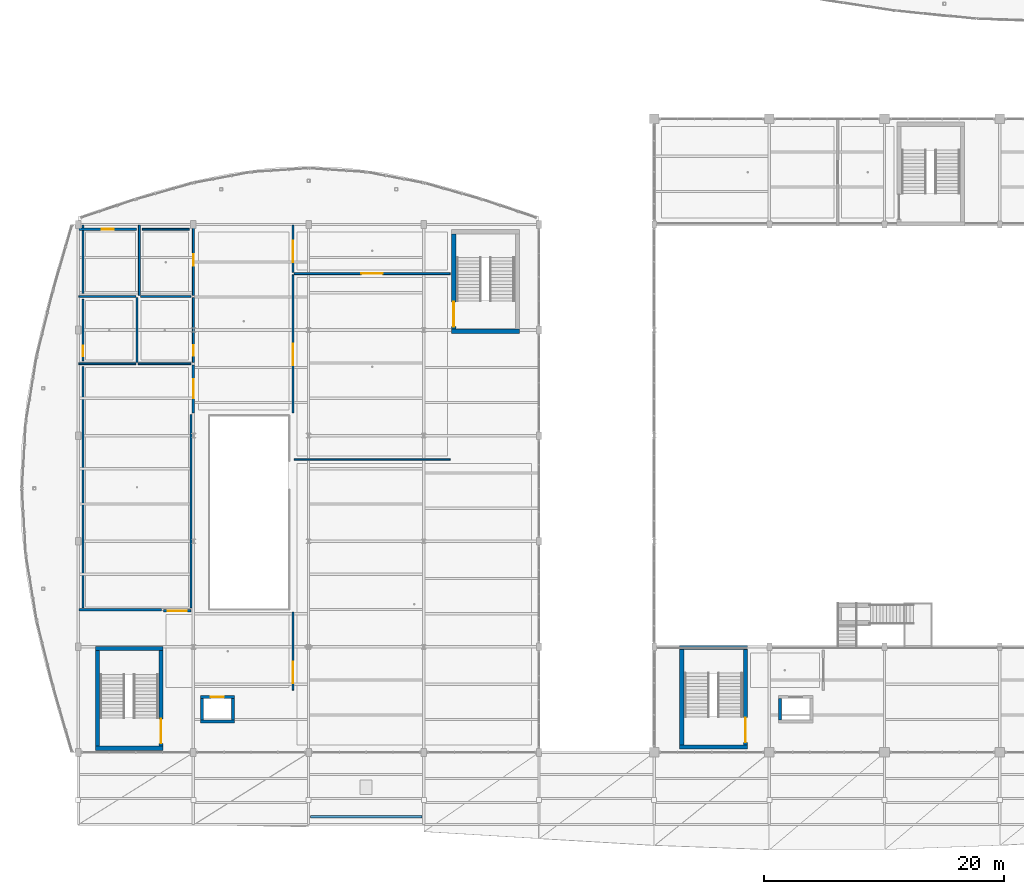
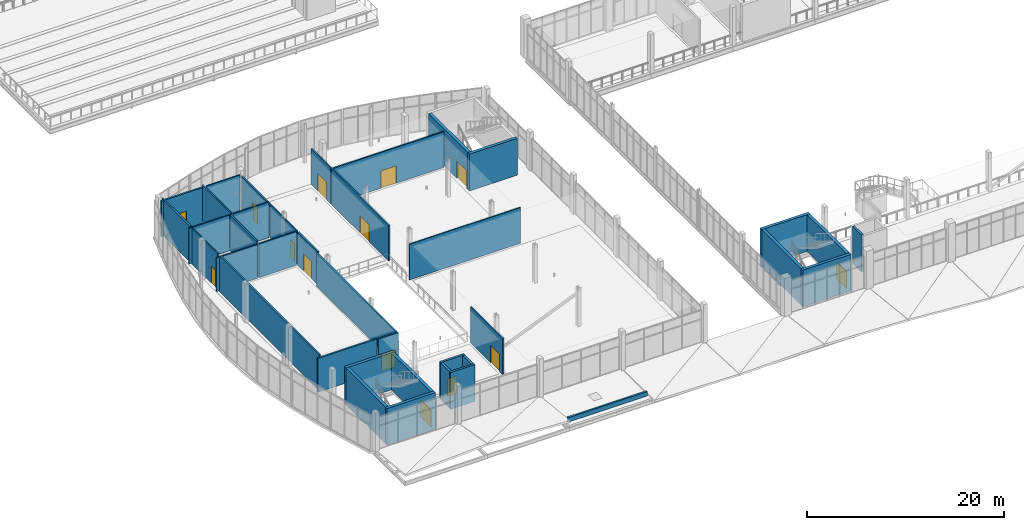
# One storey, part 132 of 157: 38 walls, 14 doors, 14 openings.
"""IFC4 building model written with IfcOpenShell, lengths in metres."""

from ifc_helpers import new_model, si_unit, direction, frame, frame_2d, origin, place, context, subcontext, project, spatial, rectangle, extrude, material, layer, layer_set, type_object, element, fill, save


model = new_model("IFC4")

# Units and contexts
model_context = context("Model", 3, precision=1e-05, world=origin(), true_north=direction((0.0, 1.0)))
body_context = subcontext(model_context, "Body", "Model", "MODEL_VIEW")
ifc_project = project(units=[si_unit("LENGTHUNIT", "METRE"), si_unit("AREAUNIT", "SQUARE_METRE"), si_unit("VOLUMEUNIT", "CUBIC_METRE"), si_unit("PLANEANGLEUNIT", "RADIAN"), si_unit("MASSUNIT", "GRAM", prefix="KILO")], contexts=[model_context])

# Site, building, storey
site_placement = place(None, origin())
site = spatial("IfcSite", under=ifc_project, at=site_placement, CompositionType="ELEMENT")
building_placement = place(site_placement, origin())
building = spatial("IfcBuilding", under=site, at=building_placement, Name="Chalmorin Arch Market", CompositionType="ELEMENT")
storey_placement = place(building_placement, frame((0.0, 0.0, 4.800048828125)))
storey = spatial("IfcBuildingStorey", under=building, at=storey_placement, Name="L01", CompositionType="ELEMENT", Elevation=4.800048828125)

# Walls
ifc_material_1 = material(Name="Concrete C40/50", Category="concrete")
ifc_layer_1 = layer(ifc_material_1, 0.35009765625)
ifc_layer_set_1 = layer_set([ifc_layer_1], Name="Concrete C40/50")
wall_type_1 = type_object("IfcWallType", Name="CoreShearWall-350", PredefinedType="SHEAR", material=ifc_layer_set_1)
for number, where, z_axis, x_axis, name in (
    (1, (7.074951171875, 6.35009765625, 0.0), (0.0, 0.0, 1.0), (-1.0, 0.0, 0.0), "CSW-350-009"),
    (2, (1.425048828125, 14.64990234375, 0.0), (0.0, 0.0, 1.0), (1.0, 0.0, 0.0), "CSW-350-010"),
):
    element("IfcWall", number, at=place(storey_placement, frame(where, z_axis=z_axis, x_axis=x_axis)), inside=storey, type_object=wall_type_1, Name=name, PredefinedType="SHEAR", context=body_context, shape_type="SweptSolid", body=[
        extrude(rectangle(XDim=5.64990234375, YDim=0.35009765625, at=frame_2d((2.824951171875, 0.0))), origin(), (0.0, 0.0, 1.0), 4.550048828125),
    ])
wall_1_placement = place(storey_placement, frame((1.60009765625, 6.52490234375, 0.0), z_axis=(0.0, 0.0, 1.0), x_axis=(0.0, 1.0, 0.0)))
element("IfcWall", 3, at=wall_1_placement, inside=storey, type_object=wall_type_1, Name="CSW-350-011", PredefinedType="SHEAR", context=body_context, shape_type="SweptSolid", body=[
    extrude(rectangle(XDim=7.9501953125, YDim=0.35009765625, at=frame_2d((3.97509765625, 0.0))), origin(), (0.0, 0.0, 1.0), 4.550048828125),
])

# Wall, opening, door
wall_2_placement = place(storey_placement, frame((6.89990234375, 14.47509765625, 0.0), z_axis=(0.0, 0.0, 1.0), x_axis=(0.0, -1.0, 0.0)))
wall_2 = element("IfcWall", 4, at=wall_2_placement, inside=storey, type_object=wall_type_1, Name="CSW-350-012", PredefinedType="SHEAR", context=body_context, shape_type="SweptSolid", body=[
    extrude(rectangle(XDim=7.9501953125, YDim=0.35009765625, at=frame_2d((3.97509765625, 0.0))), origin(), (0.0, 0.0, 1.0), 4.550048828125),
])
opening_1_placement = place(wall_2_placement, frame((5.679931640625, 0.0, 0.0)))
opening_1 = element("IfcOpeningElement", 5, at=opening_1_placement, cuts=wall_2, Name="Opening FD-SC1-L01", PredefinedType="OPENING", context=body_context, shape_type="SweptSolid", body=[
    extrude(rectangle(XDim=2.050048828125, YDim=2.14990234375, at=frame_2d((1.02490234375, 1.074951171875))), frame((0.0, 0.18505859375, 0.0), z_axis=(0.0, -1.0, 0.0), x_axis=(1.0, 0.0, 0.0)), (0.0, 0.0, 1.0), 0.3701171875),
])
ifc_material_2 = material(Name="Galvanised Steel", Category="steel")
door_type_1 = type_object("IfcDoorType", Name="DoubleFireExitDoor-2050x2150", OperationType="DOUBLE_DOOR_SINGLE_SWING", PredefinedType="DOOR", material=ifc_material_2)
door_1_placement = place(opening_1_placement, origin())
door_1 = element("IfcDoor", 6, at=door_1_placement, inside=storey, type_object=door_type_1, Name="FD-SC1-L01", OperationType="DOUBLE_DOOR_SINGLE_SWING", OverallHeight=2.14990234375, OverallWidth=2.050048828125, PredefinedType="DOOR", context=body_context, shape_type="SweptSolid", body=[
    extrude(rectangle(XDim=2.050048828125, YDim=2.14990234375, at=frame_2d((1.02490234375, 1.074951171875))), frame((0.0, 0.02490234375, 0.0), z_axis=(0.0, -1.0, 0.0), x_axis=(1.0, 0.0, 0.0)), (0.0, 0.0, 1.0), 0.050048828125),
])
fill(opening_1, door_1)

# Wall
wall_3_placement = place(storey_placement, frame((36.77490234375, 41.10009765625, 0.0), z_axis=(0.0, 0.0, 1.0), x_axis=(-1.0, 0.0, 0.0)))
element("IfcWall", 7, at=wall_3_placement, inside=storey, type_object=wall_type_1, Name="CSW-350-025", PredefinedType="SHEAR", context=body_context, shape_type="SweptSolid", body=[
    extrude(rectangle(XDim=5.64990234375, YDim=0.35009765625, at=frame_2d((2.824951171875, 0.0))), origin(), (0.0, 0.0, 1.0), 4.550048828125),
])

# Wall, opening, door
wall_4_placement = place(storey_placement, frame((31.300048828125, 41.27490234375, 0.0), z_axis=(0.0, 0.0, 1.0), x_axis=(0.0, 1.0, 0.0)))
wall_4 = element("IfcWall", 8, at=wall_4_placement, inside=storey, type_object=wall_type_1, Name="CSW-350-027", PredefinedType="SHEAR", context=body_context, shape_type="SweptSolid", body=[
    extrude(rectangle(XDim=7.9501953125, YDim=0.35009765625, at=frame_2d((3.97509765625, 0.0))), origin(), (0.0, 0.0, 1.0), 4.550048828125),
])
opening_2_placement = place(wall_4_placement, frame((0.219970703125, 0.0, 0.0)))
opening_2 = element("IfcOpeningElement", 9, at=opening_2_placement, cuts=wall_4, Name="Opening FD-SC2-L01", PredefinedType="OPENING", context=body_context, shape_type="SweptSolid", body=[
    extrude(rectangle(XDim=2.050048828125, YDim=2.14990234375, at=frame_2d((1.02490234375, 1.074951171875))), frame((0.0, 0.18505859375, 0.0), z_axis=(0.0, -1.0, 0.0), x_axis=(1.0, 0.0, 0.0)), (0.0, 0.0, 1.0), 0.3701171875),
])
door_2_placement = place(opening_2_placement, origin())
door_2 = element("IfcDoor", 10, at=door_2_placement, inside=storey, type_object=door_type_1, Name="FD-SC2-L01", OperationType="DOUBLE_DOOR_SINGLE_SWING", OverallHeight=2.14990234375, OverallWidth=2.050048828125, PredefinedType="DOOR", context=body_context, shape_type="SweptSolid", body=[
    extrude(rectangle(XDim=2.050048828125, YDim=2.14990234375, at=frame_2d((1.02490234375, 1.074951171875))), frame((0.0, 0.02490234375, 0.0), z_axis=(0.0, -1.0, 0.0), x_axis=(1.0, 0.0, 0.0)), (0.0, 0.0, 1.0), 0.050048828125),
])
fill(opening_2, door_2)

# Walls
for number, where, z_axis, x_axis, name in (
    (11, (55.77490234375, 6.449951171875, 0.0), (0.0, 0.0, 1.0), (-1.0, 0.0, 0.0), "CSW-350-041"),
    (12, (50.125, 14.75, 0.0), (0.0, 0.0, 1.0), (1.0, 0.0, 0.0), "CSW-350-042"),
):
    element("IfcWall", number, at=place(storey_placement, frame(where, z_axis=z_axis, x_axis=x_axis)), inside=storey, type_object=wall_type_1, Name=name, PredefinedType="SHEAR", context=body_context, shape_type="SweptSolid", body=[
        extrude(rectangle(XDim=5.64990234375, YDim=0.35009765625, at=frame_2d((2.824951171875, 0.0))), origin(), (0.0, 0.0, 1.0), 4.550048828125),
    ])
wall_5_placement = place(storey_placement, frame((50.300048828125, 6.625, 0.0), z_axis=(0.0, 0.0, 1.0), x_axis=(0.0, 1.0, 0.0)))
element("IfcWall", 13, at=wall_5_placement, inside=storey, type_object=wall_type_1, Name="CSW-350-043", PredefinedType="SHEAR", context=body_context, shape_type="SweptSolid", body=[
    extrude(rectangle(XDim=7.949951171875, YDim=0.35009765625, at=frame_2d((3.97509765625, 0.0))), origin(), (0.0, 0.0, 1.0), 4.550048828125),
])

# Wall, opening, door
wall_6_placement = place(storey_placement, frame((55.60009765625, 14.574951171875, 0.0), z_axis=(0.0, 0.0, 1.0), x_axis=(0.0, -1.0, 0.0)))
wall_6 = element("IfcWall", 14, at=wall_6_placement, inside=storey, type_object=wall_type_1, Name="CSW-350-044", PredefinedType="SHEAR", context=body_context, shape_type="SweptSolid", body=[
    extrude(rectangle(XDim=7.949951171875, YDim=0.35009765625, at=frame_2d((3.97509765625, 0.0))), origin(), (0.0, 0.0, 1.0), 4.550048828125),
])
opening_3_placement = place(wall_6_placement, frame((5.679931640625, 0.0, 0.0)))
opening_3 = element("IfcOpeningElement", 15, at=opening_3_placement, cuts=wall_6, Name="Opening FD-SC3-L01", PredefinedType="OPENING", context=body_context, shape_type="SweptSolid", body=[
    extrude(rectangle(XDim=2.050048828125, YDim=2.14990234375, at=frame_2d((1.02490234375, 1.074951171875))), frame((0.0, 0.18505859375, 0.0), z_axis=(0.0, -1.0, 0.0), x_axis=(1.0, 0.0, 0.0)), (0.0, 0.0, 1.0), 0.3701171875),
])
door_3_placement = place(opening_3_placement, origin())
door_3 = element("IfcDoor", 16, at=door_3_placement, inside=storey, type_object=door_type_1, Name="FD-SC3-L01", OperationType="DOUBLE_DOOR_SINGLE_SWING", OverallHeight=2.14990234375, OverallWidth=2.050048828125, PredefinedType="DOOR", context=body_context, shape_type="SweptSolid", body=[
    extrude(rectangle(XDim=2.050048828125, YDim=2.14990234375, at=frame_2d((1.02490234375, 1.074951171875))), frame((0.0, 0.02490234375, 0.0), z_axis=(0.0, -1.0, 0.0), x_axis=(1.0, 0.0, 0.0)), (0.0, 0.0, 1.0), 0.050048828125),
])
fill(opening_3, door_3)

ifc_material_3 = material(Name="Gypsum Board Partition")
ifc_layer_2 = layer(ifc_material_3, 0.159912109375)
ifc_layer_set_2 = layer_set([ifc_layer_2], Name="Gypsum Board Partition")
wall_type_2 = type_object("IfcWallType", Name="CorridorRatedPartition-160", PredefinedType="PARTITIONING", material=ifc_layer_set_2)
wall_7_placement = place(storey_placement, frame((17.89990234375, 11.199951171875, 0.0), z_axis=(0.0, 0.0, 1.0), x_axis=(0.0, 1.0, 0.0)))
wall_7 = element("IfcWall", 17, at=wall_7_placement, inside=storey, type_object=wall_type_2, Name="CRP-160-478", PredefinedType="PARTITIONING", context=body_context, shape_type="SweptSolid", body=[
    extrude(rectangle(XDim=6.5, YDim=0.159912109375, at=frame_2d((3.25, 0.0))), origin(), (0.0, 0.0, 1.0), 4.419921875),
])
opening_4_placement = place(wall_7_placement, frame((0.55908203125, 0.0, 0.0)))
opening_4 = element("IfcOpeningElement", 18, at=opening_4_placement, cuts=wall_7, Name="Opening ID-148", PredefinedType="OPENING", context=body_context, shape_type="SweptSolid", body=[
    extrude(rectangle(XDim=1.800048828125, YDim=2.14990234375, at=frame_2d((0.89990234375, 1.074951171875))), frame((0.0, 0.08984375, 0.0), z_axis=(0.0, -1.0, 0.0), x_axis=(1.0, 0.0, 0.0)), (0.0, 0.0, 1.0), 0.179931640625),
])
door_type_2 = type_object("IfcDoorType", Name="CorridorFireDoubleDoor-1800x2150", OperationType="DOUBLE_DOOR_SINGLE_SWING", PredefinedType="DOOR", material=ifc_material_2)
door_4_placement = place(opening_4_placement, origin())
door_4 = element("IfcDoor", 19, at=door_4_placement, inside=storey, type_object=door_type_2, Name="ID-148", OperationType="DOUBLE_DOOR_SINGLE_SWING", OverallHeight=2.14990234375, OverallWidth=1.800048828125, PredefinedType="DOOR", context=body_context, shape_type="SweptSolid", body=[
    extrude(rectangle(XDim=1.800048828125, YDim=2.14990234375, at=frame_2d((0.89990234375, 1.074951171875))), frame((0.0, 0.02490234375, 0.0), z_axis=(0.0, -1.0, 0.0), x_axis=(1.0, 0.0, 0.0)), (0.0, 0.0, 1.0), 0.050048828125),
])
fill(opening_4, door_4)

wall_8_placement = place(storey_placement, frame((18.0, 45.89990234375, 0.0), z_axis=(0.0, 0.0, 1.0), x_axis=(1.0, 0.0, 0.0)))
wall_8 = element("IfcWall", 20, at=wall_8_placement, inside=storey, type_object=wall_type_2, Name="CRP-160-481", PredefinedType="PARTITIONING", context=body_context, shape_type="SweptSolid", body=[
    extrude(rectangle(XDim=13.0, YDim=0.159912109375, at=frame_2d((6.5, 0.0))), origin(), (0.0, 0.0, 1.0), 4.419921875),
])
opening_5_placement = place(wall_8_placement, frame((5.60009765625, 0.0, 0.0)))
opening_5 = element("IfcOpeningElement", 21, at=opening_5_placement, cuts=wall_8, Name="Opening ID-150", PredefinedType="OPENING", context=body_context, shape_type="SweptSolid", body=[
    extrude(rectangle(XDim=1.800048828125, YDim=2.14990234375, at=frame_2d((0.89990234375, 1.074951171875))), frame((0.0, 0.08984375, 0.0), z_axis=(0.0, -1.0, 0.0), x_axis=(1.0, 0.0, 0.0)), (0.0, 0.0, 1.0), 0.179931640625),
])
door_5_placement = place(opening_5_placement, origin())
door_5 = element("IfcDoor", 22, at=door_5_placement, inside=storey, type_object=door_type_2, Name="ID-150", OperationType="DOUBLE_DOOR_SINGLE_SWING", OverallHeight=2.14990234375, OverallWidth=1.800048828125, PredefinedType="DOOR", context=body_context, shape_type="SweptSolid", body=[
    extrude(rectangle(XDim=1.800048828125, YDim=2.14990234375, at=frame_2d((0.89990234375, 1.074951171875))), frame((0.0, 0.02490234375, 0.0), z_axis=(0.0, -1.0, 0.0), x_axis=(1.0, 0.0, 0.0)), (0.0, 0.0, 1.0), 0.050048828125),
])
fill(opening_5, door_5)

wall_9_placement = place(storey_placement, frame((17.89990234375, 34.300048828125, 0.0), z_axis=(0.0, 0.0, 1.0), x_axis=(0.0, 1.0, 0.0)))
wall_9 = element("IfcWall", 23, at=wall_9_placement, inside=storey, type_object=wall_type_2, Name="CRP-160-482", PredefinedType="PARTITIONING", context=body_context, shape_type="SweptSolid", body=[
    extrude(rectangle(XDim=11.5, YDim=0.159912109375, at=frame_2d((5.75, 0.0))), origin(), (0.0, 0.0, 1.0), 4.419921875),
])
opening_6_placement = place(wall_9_placement, frame((3.951904296875, 0.0, 0.0)))
opening_6 = element("IfcOpeningElement", 24, at=opening_6_placement, cuts=wall_9, Name="Opening ID-151", PredefinedType="OPENING", context=body_context, shape_type="SweptSolid", body=[
    extrude(rectangle(XDim=1.800048828125, YDim=2.14990234375, at=frame_2d((0.89990234375, 1.074951171875))), frame((0.0, 0.08984375, 0.0), z_axis=(0.0, -1.0, 0.0), x_axis=(1.0, 0.0, 0.0)), (0.0, 0.0, 1.0), 0.179931640625),
])
door_6_placement = place(opening_6_placement, origin())
door_6 = element("IfcDoor", 25, at=door_6_placement, inside=storey, type_object=door_type_2, Name="ID-151", OperationType="DOUBLE_DOOR_SINGLE_SWING", OverallHeight=2.14990234375, OverallWidth=1.800048828125, PredefinedType="DOOR", context=body_context, shape_type="SweptSolid", body=[
    extrude(rectangle(XDim=1.800048828125, YDim=2.14990234375, at=frame_2d((0.89990234375, 1.074951171875))), frame((0.0, 0.02490234375, 0.0), z_axis=(0.0, -1.0, 0.0), x_axis=(1.0, 0.0, 0.0)), (0.0, 0.0, 1.0), 0.050048828125),
])
fill(opening_6, door_6)

wall_10_placement = place(storey_placement, frame((17.89990234375, 46.0, 0.0), z_axis=(0.0, 0.0, 1.0), x_axis=(0.0, 1.0, 0.0)))
wall_10 = element("IfcWall", 26, at=wall_10_placement, inside=storey, type_object=wall_type_2, Name="CRP-160-483", PredefinedType="PARTITIONING", context=body_context, shape_type="SweptSolid", body=[
    extrude(rectangle(XDim=3.949951171875, YDim=0.159912109375, at=frame_2d((1.97509765625, 0.0))), origin(), (0.0, 0.0, 1.0), 4.419921875),
])
opening_7_placement = place(wall_10_placement, frame((0.861083984375, 0.0, 0.0)))
opening_7 = element("IfcOpeningElement", 27, at=opening_7_placement, cuts=wall_10, Name="Opening ID-152", PredefinedType="OPENING", context=body_context, shape_type="SweptSolid", body=[
    extrude(rectangle(XDim=1.800048828125, YDim=2.14990234375, at=frame_2d((0.89990234375, 1.074951171875))), frame((0.0, 0.08984375, 0.0), z_axis=(0.0, -1.0, 0.0), x_axis=(1.0, 0.0, 0.0)), (0.0, 0.0, 1.0), 0.179931640625),
])
door_7_placement = place(opening_7_placement, origin())
door_7 = element("IfcDoor", 28, at=door_7_placement, inside=storey, type_object=door_type_2, Name="ID-152", OperationType="DOUBLE_DOOR_SINGLE_SWING", OverallHeight=2.14990234375, OverallWidth=1.800048828125, PredefinedType="DOOR", context=body_context, shape_type="SweptSolid", body=[
    extrude(rectangle(XDim=1.800048828125, YDim=2.14990234375, at=frame_2d((0.89990234375, 1.074951171875))), frame((0.0, 0.02490234375, 0.0), z_axis=(0.0, -1.0, 0.0), x_axis=(1.0, 0.0, 0.0)), (0.0, 0.0, 1.0), 0.050048828125),
])
fill(opening_7, door_7)

# Wall
ifc_material_4 = material(Name="Powder-coated Aluminium Panel", Category="aluminium")
ifc_layer_3 = layer(ifc_material_4, 0.125)
ifc_layer_set_3 = layer_set([ifc_layer_3], Name="Powder-coated Aluminium Panel")
wall_type_3 = type_object("IfcWallType", Name="DemountableStudStallPartition-125", PredefinedType="PARTITIONING", material=ifc_layer_set_3)
wall_11_placement = place(storey_placement, frame((18.0, 30.39990234375, 0.0), z_axis=(0.0, 0.0, 1.0), x_axis=(1.0, 0.0, 0.0)))
element("IfcWall", 29, at=wall_11_placement, inside=storey, type_object=wall_type_3, Name="DSP-125-480", PredefinedType="PARTITIONING", context=body_context, shape_type="SweptSolid", body=[
    extrude(rectangle(XDim=13.0, YDim=0.125, at=frame_2d((6.5, 0.0))), origin(), (0.0, 0.0, 1.0), 4.419921875),
])

# Wall, opening, door
ifc_material_5 = material(Name="Concrete C30/37", Category="concrete")
ifc_layer_4 = layer(ifc_material_5, 0.199951171875)
ifc_layer_set_4 = layer_set([ifc_layer_4], Name="Concrete C30/37")
wall_type_4 = type_object("IfcWallType", Name="FireCompartmentWall-200", PredefinedType="PARTITIONING", material=ifc_layer_set_4)
wall_12_placement = place(storey_placement, frame((7.10009765625, 17.800048828125, 0.0), z_axis=(0.0, 0.0, 1.0), x_axis=(1.0, 0.0, 0.0)))
wall_12 = element("IfcWall", 30, at=wall_12_placement, inside=storey, type_object=wall_type_4, Name="FCW-200-479", PredefinedType="PARTITIONING", context=body_context, shape_type="SweptSolid", body=[
    extrude(rectangle(XDim=2.2998046875, YDim=0.199951171875, at=frame_2d((1.14990234375, 0.0))), origin(), (0.0, 0.0, 1.0), 4.181884765625),
])
opening_8_placement = place(wall_12_placement, frame((0.35009765625, 0.0, 0.0)))
opening_8 = element("IfcOpeningElement", 31, at=opening_8_placement, cuts=wall_12, Name="Opening ID-149", PredefinedType="OPENING", context=body_context, shape_type="SweptSolid", body=[
    extrude(rectangle(XDim=1.60009765625, YDim=2.14990234375, at=frame_2d((0.800048828125, 1.074951171875))), frame((0.0, 0.10986328125, 0.0), z_axis=(0.0, -1.0, 0.0), x_axis=(1.0, 0.0, 0.0)), (0.0, 0.0, 1.0), 0.219970703125),
])
ifc_material_6 = material(Name="Stainless Steel 316", Category="steel")
door_type_3 = type_object("IfcDoorType", Name="TeachingKitchenDoubleDoor-1600x2150", OperationType="DOUBLE_DOOR_SINGLE_SWING", PredefinedType="DOOR", material=ifc_material_6)
door_8_placement = place(opening_8_placement, origin())
door_8 = element("IfcDoor", 32, at=door_8_placement, inside=storey, type_object=door_type_3, Name="ID-149", OperationType="DOUBLE_DOOR_SINGLE_SWING", OverallHeight=2.14990234375, OverallWidth=1.60009765625, PredefinedType="DOOR", context=body_context, shape_type="SweptSolid", body=[
    extrude(rectangle(XDim=1.60009765625, YDim=2.14990234375, at=frame_2d((0.800048828125, 1.074951171875))), frame((0.0, 0.02490234375, 0.0), z_axis=(0.0, -1.0, 0.0), x_axis=(1.0, 0.0, 0.0)), (0.0, 0.0, 1.0), 0.050048828125),
])
fill(opening_8, door_8)

wall_13_placement = place(storey_placement, frame((9.60009765625, 34.300048828125, 0.0), z_axis=(0.0, 0.0, 1.0), x_axis=(0.0, 1.0, 0.0)))
wall_13 = element("IfcWall", 33, at=wall_13_placement, inside=storey, type_object=wall_type_4, Name="FCW-200-484", PredefinedType="PARTITIONING", context=body_context, shape_type="SweptSolid", body=[
    extrude(rectangle(XDim=4.0, YDim=0.199951171875, at=frame_2d((2.0, 0.0))), origin(), (0.0, 0.0, 1.0), 4.075927734375),
])
opening_9_placement = place(wall_13_placement, frame((1.199951171875, 0.0, 0.0)))
opening_9 = element("IfcOpeningElement", 34, at=opening_9_placement, cuts=wall_13, Name="Opening ID-153", PredefinedType="OPENING", context=body_context, shape_type="SweptSolid", body=[
    extrude(rectangle(XDim=1.60009765625, YDim=2.14990234375, at=frame_2d((0.800048828125, 1.074951171875))), frame((0.0, 0.10986328125, 0.0), z_axis=(0.0, -1.0, 0.0), x_axis=(1.0, 0.0, 0.0)), (0.0, 0.0, 1.0), 0.219970703125),
])
door_9_placement = place(opening_9_placement, origin())
door_9 = element("IfcDoor", 35, at=door_9_placement, inside=storey, type_object=door_type_3, Name="ID-153", OperationType="DOUBLE_DOOR_SINGLE_SWING", OverallHeight=2.14990234375, OverallWidth=1.60009765625, PredefinedType="DOOR", context=body_context, shape_type="SweptSolid", body=[
    extrude(rectangle(XDim=1.60009765625, YDim=2.14990234375, at=frame_2d((0.800048828125, 1.074951171875))), frame((0.0, 0.02490234375, 0.0), z_axis=(0.0, -1.0, 0.0), x_axis=(1.0, 0.0, 0.0)), (0.0, 0.0, 1.0), 0.050048828125),
])
fill(opening_9, door_9)

# Walls
wall_14_placement = place(storey_placement, frame((0.050048828125, 17.89990234375, 0.0), z_axis=(0.0, 0.0, 1.0), x_axis=(1.0, 0.0, 0.0)))
element("IfcWall", 36, at=wall_14_placement, inside=storey, type_object=wall_type_4, Name="FCW-200-512", PredefinedType="PARTITIONING", context=body_context, shape_type="SweptSolid", body=[
    extrude(rectangle(XDim=6.909912109375, YDim=0.199951171875, at=frame_2d((3.455078125, 0.0))), origin(), (0.0, 0.0, 1.0), 4.181884765625),
])
wall_15_placement = place(storey_placement, frame((0.39990234375, 18.0400390625, 0.0), z_axis=(0.0, 0.0, 1.0), x_axis=(0.0, 1.0, 0.0)))
element("IfcWall", 37, at=wall_15_placement, inside=storey, type_object=wall_type_4, Name="FCW-200-513", PredefinedType="PARTITIONING", context=body_context, shape_type="SweptSolid", body=[
    extrude(rectangle(XDim=20.119873046875, YDim=0.199951171875, at=frame_2d((10.06005859375, 0.0))), origin(), (0.0, 0.0, 1.0), 4.419921875),
])
wall_16_placement = place(storey_placement, frame((9.39990234375, 18.0400390625, 0.0), z_axis=(0.0, 0.0, 1.0), x_axis=(0.0, 1.0, 0.0)))
element("IfcWall", 38, at=wall_16_placement, inside=storey, type_object=wall_type_4, Name="FCW-200-514", PredefinedType="PARTITIONING", context=body_context, shape_type="SweptSolid", body=[
    extrude(rectangle(XDim=16.119873046875, YDim=0.199951171875, at=frame_2d((8.06005859375, 0.0))), origin(), (0.0, 0.0, 1.0), 4.06591796875),
])

# Wall, opening, door
wall_17_placement = place(storey_placement, frame((0.050048828125, 49.60009765625, 0.0), z_axis=(0.0, 0.0, 1.0), x_axis=(1.0, 0.0, 0.0)))
wall_17 = element("IfcWall", 39, at=wall_17_placement, inside=storey, type_object=wall_type_4, Name="FCW-200-517", PredefinedType="PARTITIONING", context=body_context, shape_type="SweptSolid", body=[
    extrude(rectangle(XDim=4.81005859375, YDim=0.199951171875, at=frame_2d((2.405029296875, 0.0))), origin(), (0.0, 0.0, 1.0), 4.419921875),
])
opening_10_placement = place(wall_17_placement, frame((1.905029296875, 0.0, 0.0)))
opening_10 = element("IfcOpeningElement", 40, at=opening_10_placement, cuts=wall_17, Name="Opening ID-171", PredefinedType="OPENING", context=body_context, shape_type="SweptSolid", body=[
    extrude(rectangle(XDim=1.0, YDim=2.14990234375, at=frame_2d((0.5, 1.074951171875))), frame((0.0, 0.10986328125, 0.0), z_axis=(0.0, -1.0, 0.0), x_axis=(1.0, 0.0, 0.0)), (0.0, 0.0, 1.0), 0.219970703125),
])
ifc_material_7 = material(Name="Oak Engineered Timber", Category="wood")
door_type_4 = type_object("IfcDoorType", Name="ClassroomAcousticDoor-1000x2150", OperationType="NOTDEFINED", PredefinedType="DOOR", material=ifc_material_7)
door_10_placement = place(opening_10_placement, origin())
door_10 = element("IfcDoor", 41, at=door_10_placement, inside=storey, type_object=door_type_4, Name="ID-171", OperationType="SINGLE_SWING_LEFT", OverallHeight=2.14990234375, OverallWidth=1.0, PredefinedType="DOOR", context=body_context, shape_type="SweptSolid", body=[
    extrude(rectangle(XDim=1.0, YDim=2.14990234375, at=frame_2d((0.5, 1.074951171875))), frame((0.0, 0.02490234375, 0.0), z_axis=(0.0, -1.0, 0.0), x_axis=(1.0, 0.0, 0.0)), (0.0, 0.0, 1.0), 0.050048828125),
])
fill(opening_10, door_10)

# Walls
wall_18_placement = place(storey_placement, frame((0.39990234375, 44.239990234375, 0.0), z_axis=(0.0, 0.0, 1.0), x_axis=(0.0, 1.0, 0.0)))
element("IfcWall", 42, at=wall_18_placement, inside=storey, type_object=wall_type_4, Name="FCW-200-518", PredefinedType="PARTITIONING", context=body_context, shape_type="SweptSolid", body=[
    extrude(rectangle(XDim=5.7099609375, YDim=0.199951171875, at=frame_2d((2.85498046875, 0.0))), origin(), (0.0, 0.0, 1.0), 4.419921875),
])
ifc_material_8 = material(Name="Precast concrete C40/50", Category="concrete")
ifc_layer_5 = layer(ifc_material_8, 0.2099609375)
ifc_layer_set_5 = layer_set([ifc_layer_5], Name="Precast concrete C40/50")
wall_type_5 = type_object("IfcWallType", Name="RoofParapetWall-210", PredefinedType="PARAPET", material=ifc_layer_set_5)
wall_19_placement = place(storey_placement, frame((19.35009765625, 0.64990234375, 0.0), z_axis=(0.0, 0.0, 1.0), x_axis=(1.0, 0.0, 0.0)))
element("IfcWall", 43, at=wall_19_placement, inside=storey, type_object=wall_type_5, Name="RPW-210-373", PredefinedType="PARAPET", context=body_context, shape_type="SweptSolid", body=[
    extrude(rectangle(XDim=9.2998046875, YDim=0.2099609375, at=frame_2d((4.64990234375, 0.0))), origin(), (0.0, 0.0, 1.0), 0.550048828125),
])
ifc_material_9 = material(Name="Concrete C35/45", Category="concrete")
ifc_layer_6 = layer(ifc_material_9, 0.25)
ifc_layer_set_6 = layer_set([ifc_layer_6], Name="Concrete C35/45")
wall_type_6 = type_object("IfcWallType", Name="ShaftEnclosureWall-250", PredefinedType="SOLIDWALL", material=ifc_layer_set_6)
wall_20_placement = place(storey_placement, frame((13.02490234375, 8.574951171875, 0.0), z_axis=(0.0, 0.0, 1.0), x_axis=(-1.0, 0.0, 0.0)))
element("IfcWall", 44, at=wall_20_placement, inside=storey, type_object=wall_type_6, Name="SEW-250-222", PredefinedType="SOLIDWALL", context=body_context, shape_type="SweptSolid", body=[
    extrude(rectangle(XDim=2.849853515625, YDim=0.25, at=frame_2d((1.4248046875, 0.0))), origin(), (0.0, 0.0, 1.0), 4.550048828125),
])

# Wall, opening, door
wall_21_placement = place(storey_placement, frame((10.175048828125, 10.625, 0.0), z_axis=(0.0, 0.0, 1.0), x_axis=(1.0, 0.0, 0.0)))
wall_21 = element("IfcWall", 45, at=wall_21_placement, inside=storey, type_object=wall_type_6, Name="SEW-250-223", PredefinedType="SOLIDWALL", context=body_context, shape_type="SweptSolid", body=[
    extrude(rectangle(XDim=2.849853515625, YDim=0.25, at=frame_2d((1.4248046875, 0.0))), origin(), (0.0, 0.0, 1.0), 4.550048828125),
])
opening_11_placement = place(wall_21_placement, frame((0.875, 0.0, 0.0)))
opening_11 = element("IfcOpeningElement", 46, at=opening_11_placement, cuts=wall_21, Name="Opening LD-LF-P1-L01", PredefinedType="OPENING", context=body_context, shape_type="SweptSolid", body=[
    extrude(rectangle(XDim=1.10009765625, YDim=2.14990234375, at=frame_2d((0.550048828125, 1.074951171875))), frame((0.0, 0.135009765625, 0.0), z_axis=(0.0, -1.0, 0.0), x_axis=(1.0, 0.0, 0.0)), (0.0, 0.0, 1.0), 0.27001953125),
])
door_type_5 = type_object("IfcDoorType", Name="LiftLandingSlidingDoor-1100x2150", OperationType="DOUBLE_DOOR_SLIDING", PredefinedType="DOOR", material=ifc_material_6)
door_11_placement = place(opening_11_placement, origin())
door_11 = element("IfcDoor", 47, at=door_11_placement, inside=storey, type_object=door_type_5, Name="LD-LF-P1-L01", OperationType="DOUBLE_DOOR_SLIDING", OverallHeight=2.14990234375, OverallWidth=1.10009765625, PredefinedType="DOOR", context=body_context, shape_type="SweptSolid", body=[
    extrude(rectangle(XDim=1.10009765625, YDim=2.14990234375, at=frame_2d((0.550048828125, 1.074951171875))), frame((0.0, 0.02490234375, 0.0), z_axis=(0.0, -1.0, 0.0), x_axis=(1.0, 0.0, 0.0)), (0.0, 0.0, 1.0), 0.050048828125),
])
fill(opening_11, door_11)

# Walls
for number, where, z_axis, x_axis, name in (
    (48, (10.300048828125, 8.699951171875, 0.0), (0.0, 0.0, 1.0), (0.0, 1.0, 0.0), "SEW-250-224"),
    (49, (12.89990234375, 10.5, 0.0), (0.0, 0.0, 1.0), (0.0, -1.0, 0.0), "SEW-250-225"),
    (50, (58.5, 8.699951171875, 0.0), (0.0, 0.0, 1.0), (0.0, 1.0, 0.0), "SEW-250-240"),
):
    element("IfcWall", number, at=place(storey_placement, frame(where, z_axis=z_axis, x_axis=x_axis)), inside=storey, type_object=wall_type_6, Name=name, PredefinedType="SOLIDWALL", context=body_context, shape_type="SweptSolid", body=[
        extrude(rectangle(XDim=1.800048828125, YDim=0.25, at=frame_2d((0.89990234375, 0.0))), origin(), (0.0, 0.0, 1.0), 4.550048828125),
    ])
ifc_layer_7 = layer(ifc_material_5, 0.14990234375)
ifc_layer_set_7 = layer_set([ifc_layer_7], Name="Concrete C30/37")
wall_type_7 = type_object("IfcWallType", Name="WetAreaTilePartition-150", PredefinedType="PARTITIONING", material=ifc_layer_set_7)
wall_22_placement = place(storey_placement, frame((0.050048828125, 38.39990234375, 0.0), z_axis=(0.0, 0.0, 1.0), x_axis=(1.0, 0.0, 0.0)))
element("IfcWall", 51, at=wall_22_placement, inside=storey, type_object=wall_type_7, Name="WTP-150-485", PredefinedType="PARTITIONING", context=body_context, shape_type="SweptSolid", body=[
    extrude(rectangle(XDim=4.75, YDim=0.14990234375, at=frame_2d((2.375, 0.0))), origin(), (0.0, 0.0, 1.0), 4.181884765625),
])
wall_23_placement = place(storey_placement, frame((5.0, 38.39990234375, 0.0), z_axis=(0.0, 0.0, 1.0), x_axis=(1.0, 0.0, 0.0)))
element("IfcWall", 52, at=wall_23_placement, inside=storey, type_object=wall_type_7, Name="WTP-150-486", PredefinedType="PARTITIONING", context=body_context, shape_type="SweptSolid", body=[
    extrude(rectangle(XDim=4.39990234375, YDim=0.14990234375, at=frame_2d((2.199951171875, 0.0))), origin(), (0.0, 0.0, 1.0), 4.181884765625),
])

# Wall, opening, door
wall_24_placement = place(storey_placement, frame((9.60009765625, 38.5, 0.0), z_axis=(0.0, 0.0, 1.0), x_axis=(0.0, 1.0, 0.0)))
wall_24 = element("IfcWall", 53, at=wall_24_placement, inside=storey, type_object=wall_type_7, Name="WTP-150-487", PredefinedType="PARTITIONING", context=body_context, shape_type="SweptSolid", body=[
    extrude(rectangle(XDim=5.39990234375, YDim=0.14990234375, at=frame_2d((2.699951171875, 0.0))), origin(), (0.0, 0.0, 1.0), 4.075927734375),
])
opening_12_placement = place(wall_24_placement, frame((0.549072265625, 0.0, 0.0)))
opening_12 = element("IfcOpeningElement", 54, at=opening_12_placement, cuts=wall_24, Name="Opening ID-154", PredefinedType="OPENING", context=body_context, shape_type="SweptSolid", body=[
    extrude(rectangle(XDim=0.89990234375, YDim=2.14990234375, at=frame_2d((0.449951171875, 1.074951171875))), frame((0.0, 0.0849609375, 0.0), z_axis=(0.0, -1.0, 0.0), x_axis=(1.0, 0.0, 0.0)), (0.0, 0.0, 1.0), 0.169921875),
])
door_type_6 = type_object("IfcDoorType", Name="RestroomEntryDoor-900x2150", OperationType="NOTDEFINED", PredefinedType="DOOR", material=ifc_material_7)
door_12_placement = place(opening_12_placement, origin())
door_12 = element("IfcDoor", 55, at=door_12_placement, inside=storey, type_object=door_type_6, Name="ID-154", OperationType="SINGLE_SWING_RIGHT", OverallHeight=2.14990234375, OverallWidth=0.89990234375, PredefinedType="DOOR", context=body_context, shape_type="SweptSolid", body=[
    extrude(rectangle(XDim=0.89990234375, YDim=2.14990234375, at=frame_2d((0.449951171875, 1.074951171875))), frame((0.0, 0.02490234375, 0.0), z_axis=(0.0, -1.0, 0.0), x_axis=(1.0, 0.0, 0.0)), (0.0, 0.0, 1.0), 0.050048828125),
])
fill(opening_12, door_12)

wall_25_placement = place(storey_placement, frame((9.60009765625, 44.10009765625, 0.0), z_axis=(0.0, 0.0, 1.0), x_axis=(0.0, 1.0, 0.0)))
wall_25 = element("IfcWall", 56, at=wall_25_placement, inside=storey, type_object=wall_type_7, Name="WTP-150-488", PredefinedType="PARTITIONING", context=body_context, shape_type="SweptSolid", body=[
    extrude(rectangle(XDim=5.849853515625, YDim=0.14990234375, at=frame_2d((2.9248046875, 0.0))), origin(), (0.0, 0.0, 1.0), 4.075927734375),
])
opening_13_placement = place(wall_25_placement, frame((2.449951171875, 0.0, 0.0)))
opening_13 = element("IfcOpeningElement", 57, at=opening_13_placement, cuts=wall_25, Name="Opening ID-155", PredefinedType="OPENING", context=body_context, shape_type="SweptSolid", body=[
    extrude(rectangle(XDim=0.949951171875, YDim=2.14990234375, at=frame_2d((0.47509765625, 1.074951171875))), frame((0.0, 0.0849609375, 0.0), z_axis=(0.0, -1.0, 0.0), x_axis=(1.0, 0.0, 0.0)), (0.0, 0.0, 1.0), 0.169921875),
])
door_type_7 = type_object("IfcDoorType", Name="AccessibleWCDoor-950x2150", OperationType="NOTDEFINED", PredefinedType="DOOR", material=ifc_material_7)
door_13_placement = place(opening_13_placement, origin())
door_13 = element("IfcDoor", 58, at=door_13_placement, inside=storey, type_object=door_type_7, Name="ID-155", OperationType="SINGLE_SWING_LEFT", OverallHeight=2.14990234375, OverallWidth=0.949951171875, PredefinedType="DOOR", context=body_context, shape_type="SweptSolid", body=[
    extrude(rectangle(XDim=0.949951171875, YDim=2.14990234375, at=frame_2d((0.47509765625, 1.074951171875))), frame((0.0, 0.02490234375, 0.0), z_axis=(0.0, -1.0, 0.0), x_axis=(1.0, 0.0, 0.0)), (0.0, 0.0, 1.0), 0.050048828125),
])
fill(opening_13, door_13)

# Walls
wall_26_placement = place(storey_placement, frame((4.89990234375, 38.5, 0.0), z_axis=(0.0, 0.0, 1.0), x_axis=(0.0, 1.0, 0.0)))
element("IfcWall", 59, at=wall_26_placement, inside=storey, type_object=wall_type_7, Name="WTP-150-489", PredefinedType="PARTITIONING", context=body_context, shape_type="SweptSolid", body=[
    extrude(rectangle(XDim=5.39990234375, YDim=0.14990234375, at=frame_2d((2.699951171875, 0.0))), origin(), (0.0, 0.0, 1.0), 4.419921875),
])
wall_27_placement = place(storey_placement, frame((0.050048828125, 44.0, 0.0), z_axis=(0.0, 0.0, 1.0), x_axis=(1.0, 0.0, 0.0)))
element("IfcWall", 60, at=wall_27_placement, inside=storey, type_object=wall_type_7, Name="WTP-150-490", PredefinedType="PARTITIONING", context=body_context, shape_type="SweptSolid", body=[
    extrude(rectangle(XDim=4.75, YDim=0.14990234375, at=frame_2d((2.375, 0.0))), origin(), (0.0, 0.0, 1.0), 4.419921875),
])
wall_28_placement = place(storey_placement, frame((5.199951171875, 44.0, 0.0), z_axis=(0.0, 0.0, 1.0), x_axis=(1.0, 0.0, 0.0)))
element("IfcWall", 61, at=wall_28_placement, inside=storey, type_object=wall_type_7, Name="WTP-150-491", PredefinedType="PARTITIONING", context=body_context, shape_type="SweptSolid", body=[
    extrude(rectangle(XDim=4.199951171875, YDim=0.14990234375, at=frame_2d((2.10009765625, 0.0))), origin(), (0.0, 0.0, 1.0), 4.419921875),
])
wall_29_placement = place(storey_placement, frame((5.10009765625, 44.10009765625, 0.0), z_axis=(0.0, 0.0, 1.0), x_axis=(0.0, 1.0, 0.0)))
element("IfcWall", 62, at=wall_29_placement, inside=storey, type_object=wall_type_7, Name="WTP-150-492", PredefinedType="PARTITIONING", context=body_context, shape_type="SweptSolid", body=[
    extrude(rectangle(XDim=5.849853515625, YDim=0.14990234375, at=frame_2d((2.9248046875, 0.0))), origin(), (0.0, 0.0, 1.0), 4.419921875),
])

# Wall, opening, door
wall_30_placement = place(storey_placement, frame((0.39990234375, 38.639892578125, 0.0), z_axis=(0.0, 0.0, 1.0), x_axis=(0.0, 1.0, 0.0)))
wall_30 = element("IfcWall", 63, at=wall_30_placement, inside=storey, type_object=wall_type_7, Name="WTP-150-515", PredefinedType="PARTITIONING", context=body_context, shape_type="SweptSolid", body=[
    extrude(rectangle(XDim=5.1201171875, YDim=0.14990234375, at=frame_2d((2.56005859375, 0.0))), origin(), (0.0, 0.0, 1.0), 4.419921875),
])
opening_14_placement = place(wall_30_placement, frame((0.360107421875, 0.0, 0.0)))
opening_14 = element("IfcOpeningElement", 64, at=opening_14_placement, cuts=wall_30, Name="Opening ID-170", PredefinedType="OPENING", context=body_context, shape_type="SweptSolid", body=[
    extrude(rectangle(XDim=0.89990234375, YDim=2.14990234375, at=frame_2d((0.449951171875, 1.074951171875))), frame((0.0, 0.0849609375, 0.0), z_axis=(0.0, -1.0, 0.0), x_axis=(1.0, 0.0, 0.0)), (0.0, 0.0, 1.0), 0.169921875),
])
door_14_placement = place(opening_14_placement, origin())
door_14 = element("IfcDoor", 65, at=door_14_placement, inside=storey, type_object=door_type_6, Name="ID-170", OperationType="SINGLE_SWING_RIGHT", OverallHeight=2.14990234375, OverallWidth=0.89990234375, PredefinedType="DOOR", context=body_context, shape_type="SweptSolid", body=[
    extrude(rectangle(XDim=0.89990234375, YDim=2.14990234375, at=frame_2d((0.449951171875, 1.074951171875))), frame((0.0, 0.02490234375, 0.0), z_axis=(0.0, -1.0, 0.0), x_axis=(1.0, 0.0, 0.0)), (0.0, 0.0, 1.0), 0.050048828125),
])
fill(opening_14, door_14)

# Wall
wall_31_placement = place(storey_placement, frame((5.340087890625, 49.60009765625, 0.0), z_axis=(0.0, 0.0, 1.0), x_axis=(1.0, 0.0, 0.0)))
element("IfcWall", 66, at=wall_31_placement, inside=storey, type_object=wall_type_7, Name="WTP-150-516", PredefinedType="PARTITIONING", context=body_context, shape_type="SweptSolid", body=[
    extrude(rectangle(XDim=3.919921875, YDim=0.14990234375, at=frame_2d((1.9599609375, 0.0))), origin(), (0.0, 0.0, 1.0), 4.419921875),
])

save(model, "model.ifc")
